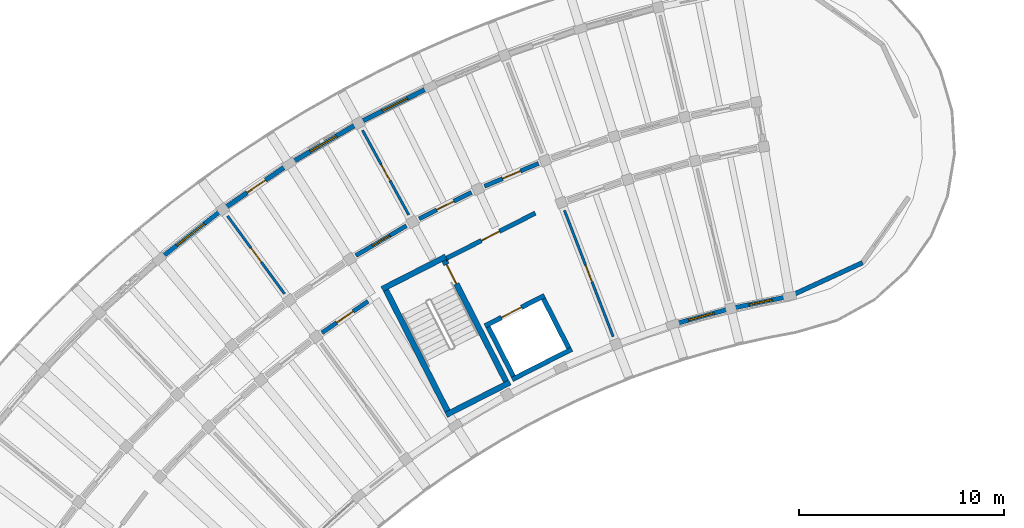
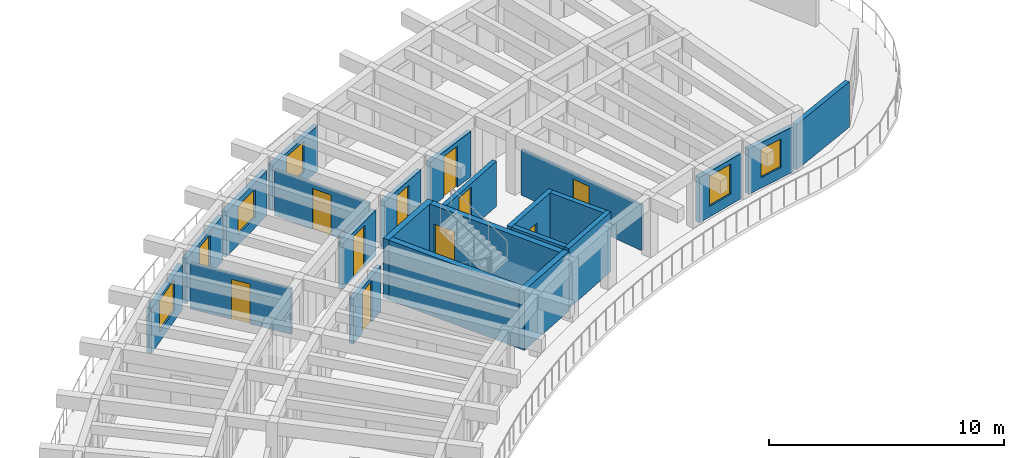
# One storey, part 21 of 41: 23 walls, 11 doors, 5 windows, 16 openings.
"""IFC4 building model written with IfcOpenShell, lengths in metres."""

from ifc_helpers import new_model, si_unit, direction, frame, frame_2d, origin, place, context, subcontext, project, spatial, rectangle, extrude, material, layer, layer_set, type_object, element, fill, save


model = new_model("IFC4")

# Units and contexts
model_context = context("Model", 3, precision=1e-05, world=origin(), true_north=direction((0.0, 1.0)))
body_context = subcontext(model_context, "Body", "Model", "MODEL_VIEW")
ifc_project = project(units=[si_unit("LENGTHUNIT", "METRE"), si_unit("AREAUNIT", "SQUARE_METRE"), si_unit("VOLUMEUNIT", "CUBIC_METRE"), si_unit("PLANEANGLEUNIT", "RADIAN"), si_unit("MASSUNIT", "GRAM", prefix="KILO")], contexts=[model_context])

# Site, building, storey
site_placement = place(None, origin())
site = spatial("IfcSite", under=ifc_project, at=site_placement, CompositionType="ELEMENT")
building_placement = place(site_placement, origin())
building = spatial("IfcBuilding", under=site, at=building_placement, Name="Tanwirah Colonnade Gardens", CompositionType="ELEMENT")
storey_placement = place(building_placement, frame((0.0, 0.0, 35.719970703125)))
storey = spatial("IfcBuildingStorey", under=building, at=storey_placement, Name="L10", CompositionType="ELEMENT", Elevation=35.719970703125)

# Wall, opening, window
ifc_material_1 = material(Name="Limestone architectural precast concrete C40/50", Category="masonry")
ifc_layer_1 = layer(ifc_material_1, 0.22509765625)
ifc_layer_set_1 = layer_set([ifc_layer_1], Name="Limestone architectural precast concrete C40/50")
wall_type_1 = type_object("IfcWallType", Name="EW-PC225", PredefinedType="SOLIDWALL", material=ifc_layer_set_1)
wall_1_placement = place(storey_placement, frame((57.28955078125, 103.970947265625, 0.0), z_axis=(0.0, 0.0, 1.0), x_axis=(-0.979344333802, -0.20219959409, 0.0)))
wall_1 = element("IfcWall", 1, at=wall_1_placement, inside=storey, type_object=wall_type_1, Name="Block A L10 IN Precast Facade Wall 1", PredefinedType="SOLIDWALL", context=body_context, shape_type="SweptSolid", body=[
    extrude(rectangle(XDim=2.545166015625, YDim=0.22509765625, at=frame_2d((1.2724609375, 0.0))), origin(), (0.0, 0.0, 1.0), 2.35498046875),
])
opening_1_placement = place(wall_1_placement, frame((0.692626953125, 0.0, 0.550048828125)))
opening_1 = element("IfcOpeningElement", 2, at=opening_1_placement, cuts=wall_1, Name="Opening WIN-U01", PredefinedType="OPENING", context=body_context, shape_type="SweptSolid", body=[
    extrude(rectangle(XDim=1.159912109375, YDim=1.485107421875, at=frame_2d((0.580078125, 0.74267578125))), frame((0.0, 0.12255859375, 0.0), z_axis=(0.0, -1.0, 0.0), x_axis=(1.0, 0.0, 0.0)), (0.0, 0.0, 1.0), 0.2451171875),
])
ifc_material_2 = material(Name="Thermally broken bronze aluminium and solar low-E double glazing", Category="aluminium")
window_type_1 = type_object("IfcWindowType", Name="WIN-U01", PartitioningType="DOUBLE_PANEL_VERTICAL", PredefinedType="WINDOW", material=ifc_material_2)
window_1_placement = place(opening_1_placement, origin())
window_1 = element("IfcWindow", 3, at=window_1_placement, inside=storey, type_object=window_type_1, Name="Facade window A-L10-IN-01", OverallHeight=1.485107421875, OverallWidth=1.159912109375, PartitioningType="SINGLE_PANEL", PredefinedType="WINDOW", context=body_context, shape_type="SweptSolid", body=[
    extrude(rectangle(XDim=1.159912109375, YDim=1.485107421875, at=frame_2d((0.580078125, 0.74267578125))), frame((0.0, 0.030029296875, 0.0), z_axis=(0.0, -1.0, 0.0), x_axis=(1.0, 0.0, 0.0)), (0.0, 0.0, 1.0), 0.06005859375),
])
fill(opening_1, window_1)

wall_2_placement = place(storey_placement, frame((54.369384765625, 103.353271484375, 0.0), z_axis=(0.0, 0.0, 1.0), x_axis=(-0.963872968618, -0.26636234788, 0.0)))
wall_2 = element("IfcWall", 4, at=wall_2_placement, inside=storey, type_object=wall_type_1, Name="Block A L10 IN Precast Facade Wall 2", PredefinedType="SOLIDWALL", context=body_context, shape_type="SweptSolid", body=[
    extrude(rectangle(XDim=2.54541015625, YDim=0.22509765625, at=frame_2d((1.272705078125, 0.0))), origin(), (0.0, 0.0, 1.0), 2.35498046875),
])
opening_2_placement = place(wall_2_placement, frame((0.632568359375, 0.0, 0.550048828125)))
opening_2 = element("IfcOpeningElement", 5, at=opening_2_placement, cuts=wall_2, Name="Opening WIN-U04", PredefinedType="OPENING", context=body_context, shape_type="SweptSolid", body=[
    extrude(rectangle(XDim=1.280029296875, YDim=1.56005859375, at=frame_2d((0.64013671875, 0.780029296875))), frame((0.0, 0.12255859375, 0.0), z_axis=(0.0, -1.0, 0.0), x_axis=(1.0, 0.0, 0.0)), (0.0, 0.0, 1.0), 0.2451171875),
])
window_type_2 = type_object("IfcWindowType", Name="WIN-U04", PartitioningType="DOUBLE_PANEL_VERTICAL", PredefinedType="WINDOW", material=ifc_material_2)
window_2_placement = place(opening_2_placement, origin())
window_2 = element("IfcWindow", 6, at=window_2_placement, inside=storey, type_object=window_type_2, Name="Facade window A-L10-IN-02", OverallHeight=1.56005859375, OverallWidth=1.280029296875, PartitioningType="SINGLE_PANEL", PredefinedType="WINDOW", context=body_context, shape_type="SweptSolid", body=[
    extrude(rectangle(XDim=1.280029296875, YDim=1.56005859375, at=frame_2d((0.64013671875, 0.780029296875))), frame((0.0, 0.030029296875, 0.0), z_axis=(0.0, -1.0, 0.0), x_axis=(1.0, 0.0, 0.0)), (0.0, 0.0, 1.0), 0.06005859375),
])
fill(opening_2, window_2)

wall_3_placement = place(storey_placement, frame((39.79052734375, 114.14501953125, 0.0), z_axis=(0.0, 0.0, 1.0), x_axis=(-0.892766264705, -0.450520140066, 0.0)))
wall_3 = element("IfcWall", 7, at=wall_3_placement, inside=storey, type_object=wall_type_1, Name="Block A L10 OUT Precast Facade Wall 5", PredefinedType="SOLIDWALL", context=body_context, shape_type="SweptSolid", body=[
    extrude(rectangle(XDim=3.540771484375, YDim=0.22509765625, at=frame_2d((1.7705078125, 0.0))), origin(), (0.0, 0.0, 1.0), 2.35498046875),
])
opening_3_placement = place(wall_3_placement, frame((1.09033203125, 0.0, 0.550048828125)))
opening_3 = element("IfcOpeningElement", 8, at=opening_3_placement, cuts=wall_3, Name="Opening WIN-U06", PredefinedType="OPENING", context=body_context, shape_type="SweptSolid", body=[
    extrude(rectangle(XDim=1.360107421875, YDim=1.610107421875, at=frame_2d((0.68017578125, 0.80517578125))), frame((0.0, 0.12255859375, 0.0), z_axis=(0.0, -1.0, 0.0), x_axis=(1.0, 0.0, 0.0)), (0.0, 0.0, 1.0), 0.2451171875),
])
window_type_3 = type_object("IfcWindowType", Name="WIN-U06", PartitioningType="DOUBLE_PANEL_VERTICAL", PredefinedType="WINDOW", material=ifc_material_2)
window_3_placement = place(opening_3_placement, origin())
window_3 = element("IfcWindow", 9, at=window_3_placement, inside=storey, type_object=window_type_3, Name="Facade window A-L10-OUT-05", OverallHeight=1.610107421875, OverallWidth=1.360107421875, PartitioningType="SINGLE_PANEL", PredefinedType="WINDOW", context=body_context, shape_type="SweptSolid", body=[
    extrude(rectangle(XDim=1.360107421875, YDim=1.610107421875, at=frame_2d((0.68017578125, 0.80517578125))), frame((0.0, 0.030029296875, 0.0), z_axis=(0.0, -1.0, 0.0), x_axis=(1.0, 0.0, 0.0)), (0.0, 0.0, 1.0), 0.06005859375),
])
fill(opening_3, window_3)

wall_4_placement = place(storey_placement, frame((36.24365234375, 112.3388671875, 0.0), z_axis=(0.0, 0.0, 1.0), x_axis=(-0.861133733249, -0.508378494294, 0.0)))
wall_4 = element("IfcWall", 10, at=wall_4_placement, inside=storey, type_object=wall_type_1, Name="Block A L10 OUT Precast Facade Wall 6", PredefinedType="SOLIDWALL", context=body_context, shape_type="SweptSolid", body=[
    extrude(rectangle(XDim=3.540771484375, YDim=0.22509765625, at=frame_2d((1.7705078125, 0.0))), origin(), (0.0, 0.0, 1.0), 2.35498046875),
])
opening_4_placement = place(wall_4_placement, frame((1.0302734375, 0.0, 0.550048828125)))
opening_4 = element("IfcOpeningElement", 11, at=opening_4_placement, cuts=wall_4, Name="Opening WIN-U09", PredefinedType="OPENING", context=body_context, shape_type="SweptSolid", body=[
    extrude(rectangle(XDim=1.47998046875, YDim=1.4599609375, at=frame_2d((0.739990234375, 0.72998046875))), frame((0.0, 0.12255859375, 0.0), z_axis=(0.0, -1.0, 0.0), x_axis=(1.0, 0.0, 0.0)), (0.0, 0.0, 1.0), 0.2451171875),
])
window_type_4 = type_object("IfcWindowType", Name="WIN-U09", PartitioningType="DOUBLE_PANEL_VERTICAL", PredefinedType="WINDOW", material=ifc_material_2)
window_4_placement = place(opening_4_placement, origin())
window_4 = element("IfcWindow", 12, at=window_4_placement, inside=storey, type_object=window_type_4, Name="Facade window A-L10-OUT-06", OverallHeight=1.4599609375, OverallWidth=1.47998046875, PartitioningType="SINGLE_PANEL", PredefinedType="WINDOW", context=body_context, shape_type="SweptSolid", body=[
    extrude(rectangle(XDim=1.47998046875, YDim=1.4599609375, at=frame_2d((0.739990234375, 0.72998046875))), frame((0.0, 0.030029296875, 0.0), z_axis=(0.0, -1.0, 0.0), x_axis=(1.0, 0.0, 0.0)), (0.0, 0.0, 1.0), 0.06005859375),
])
fill(opening_4, window_4)

# Wall, opening, door
wall_5_placement = place(storey_placement, frame((32.916259765625, 110.36181640625, 0.0), z_axis=(0.0, 0.0, 1.0), x_axis=(-0.825792366032, -0.563974262005, 0.0)))
wall_5 = element("IfcWall", 13, at=wall_5_placement, inside=storey, type_object=wall_type_1, Name="Block A L10 OUT Precast Facade Wall 7", PredefinedType="SOLIDWALL", context=body_context, shape_type="SweptSolid", body=[
    extrude(rectangle(XDim=3.54052734375, YDim=0.22509765625, at=frame_2d((1.770263671875, 0.0))), origin(), (0.0, 0.0, 1.0), 2.35498046875),
])
opening_5_placement = place(wall_5_placement, frame((1.230224609375, 0.0, 0.0)))
opening_5 = element("IfcOpeningElement", 14, at=opening_5_placement, cuts=wall_5, Name="Opening L10-ED048", PredefinedType="OPENING", context=body_context, shape_type="SweptSolid", body=[
    extrude(rectangle(XDim=1.080078125, YDim=2.14990234375, at=frame_2d((0.5400390625, 1.074951171875))), frame((0.0, 0.12255859375, 0.0), z_axis=(0.0, -1.0, 0.0), x_axis=(1.0, 0.0, 0.0)), (0.0, 0.0, 1.0), 0.2451171875),
])
ifc_material_3 = material(Name="Bronze aluminium glazed balcony door", Category="aluminium")
door_type_1 = type_object("IfcDoorType", Name="ED-BAL108", OperationType="NOTDEFINED", PredefinedType="DOOR", material=ifc_material_3)
door_1_placement = place(opening_5_placement, origin())
door_1 = element("IfcDoor", 15, at=door_1_placement, inside=storey, type_object=door_type_1, Name="Balcony glazed door L10-ED048", OperationType="SINGLE_SWING_RIGHT", OverallHeight=2.14990234375, OverallWidth=1.080078125, PredefinedType="DOOR", context=body_context, shape_type="SweptSolid", body=[
    extrude(rectangle(XDim=1.080078125, YDim=2.14990234375, at=frame_2d((0.5400390625, 1.074951171875))), frame((0.0, 0.02490234375, 0.0), z_axis=(0.0, -1.0, 0.0), x_axis=(1.0, 0.0, 0.0)), (0.0, 0.0, 1.0), 0.050048828125),
])
fill(opening_5, door_1)

# Wall, opening, window
wall_6_placement = place(storey_placement, frame((29.6376953125, 108.10498046875, 0.0), z_axis=(0.0, 0.0, 1.0), x_axis=(-0.786813367299, -0.617190995592, 0.0)))
wall_6 = element("IfcWall", 16, at=wall_6_placement, inside=storey, type_object=wall_type_1, Name="Block A L10 OUT Precast Facade Wall 8", PredefinedType="SOLIDWALL", context=body_context, shape_type="SweptSolid", body=[
    extrude(rectangle(XDim=3.540771484375, YDim=0.22509765625, at=frame_2d((1.7705078125, 0.0))), origin(), (0.0, 0.0, 1.0), 2.35498046875),
])
opening_6_placement = place(wall_6_placement, frame((0.910400390625, 0.0, 0.550048828125)))
opening_6 = element("IfcOpeningElement", 17, at=opening_6_placement, cuts=wall_6, Name="Opening WIN-U15", PredefinedType="OPENING", context=body_context, shape_type="SweptSolid", body=[
    extrude(rectangle(XDim=1.719970703125, YDim=1.610107421875, at=frame_2d((0.85986328125, 0.80517578125))), frame((0.0, 0.12255859375, 0.0), z_axis=(0.0, -1.0, 0.0), x_axis=(1.0, 0.0, 0.0)), (0.0, 0.0, 1.0), 0.2451171875),
])
window_type_5 = type_object("IfcWindowType", Name="WIN-U15", PartitioningType="DOUBLE_PANEL_VERTICAL", PredefinedType="WINDOW", material=ifc_material_2)
window_5_placement = place(opening_6_placement, origin())
window_5 = element("IfcWindow", 18, at=window_5_placement, inside=storey, type_object=window_type_5, Name="Facade window A-L10-OUT-08", OverallHeight=1.610107421875, OverallWidth=1.719970703125, PartitioningType="SINGLE_PANEL", PredefinedType="WINDOW", context=body_context, shape_type="SweptSolid", body=[
    extrude(rectangle(XDim=1.719970703125, YDim=1.610107421875, at=frame_2d((0.85986328125, 0.80517578125))), frame((0.0, 0.030029296875, 0.0), z_axis=(0.0, -1.0, 0.0), x_axis=(1.0, 0.0, 0.0)), (0.0, 0.0, 1.0), 0.06005859375),
])
fill(opening_6, window_5)

# Wall
wall_7_placement = place(storey_placement, frame((60.99951171875, 105.642333984375, 0.0), z_axis=(0.0, 0.0, 1.0), x_axis=(-0.907935614055, -0.419109676255, 0.0)))
element("IfcWall", 19, at=wall_7_placement, inside=storey, type_object=wall_type_1, Name="Block A L10 START Rounded End Wall 5", PredefinedType="SOLIDWALL", context=body_context, shape_type="SweptSolid", body=[
    extrude(rectangle(XDim=3.908203125, YDim=0.22509765625, at=frame_2d((1.9541015625, 0.0))), origin(), (0.0, 0.0, 1.0), 2.35498046875),
])

# Wall, opening, door
ifc_material_4 = material(Name="Precast concrete C40/50", Category="concrete")
ifc_layer_2 = layer(ifc_material_4, 0.205078125)
ifc_layer_set_2 = layer_set([ifc_layer_2], Name="Precast concrete C40/50")
wall_type_2 = type_object("IfcWallType", Name="IW-CORR205", PredefinedType="PARTITIONING", material=ifc_layer_set_2)
wall_8_placement = place(storey_placement, frame((45.210205078125, 110.485595703125, 0.0), z_axis=(0.0, 0.0, 1.0), x_axis=(-0.920511160294, -0.390716270168, 0.0)))
wall_8 = element("IfcWall", 20, at=wall_8_placement, inside=storey, type_object=wall_type_2, Name="Block A L10 OUT Corridor Wall 4", PredefinedType="PARTITIONING", context=body_context, shape_type="SweptSolid", body=[
    extrude(rectangle(XDim=2.863037109375, YDim=0.205078125, at=frame_2d((1.431640625, 0.0))), origin(), (0.0, 0.0, 1.0), 2.3701171875),
])
opening_7_placement = place(wall_8_placement, frame((0.95654296875, 0.0, 0.0)))
opening_7 = element("IfcOpeningElement", 21, at=opening_7_placement, cuts=wall_8, Name="Opening L10-AD644", PredefinedType="OPENING", context=body_context, shape_type="SweptSolid", body=[
    extrude(rectangle(XDim=0.949951171875, YDim=2.1298828125, at=frame_2d((0.47509765625, 1.06494140625))), frame((0.0, 0.112548828125, 0.0), z_axis=(0.0, -1.0, 0.0), x_axis=(1.0, 0.0, 0.0)), (0.0, 0.0, 1.0), 0.22509765625),
])
ifc_material_5 = material(Name="Solid oak fire-resisting apartment entrance door")
door_type_2 = type_object("IfcDoorType", Name="ID-FLT095", OperationType="NOTDEFINED", PredefinedType="DOOR", material=ifc_material_5)
door_2_placement = place(opening_7_placement, origin())
door_2 = element("IfcDoor", 22, at=door_2_placement, inside=storey, type_object=door_type_2, Name="Apartment corridor door L10-AD644", OperationType="SINGLE_SWING_LEFT", OverallHeight=2.1298828125, OverallWidth=0.949951171875, PredefinedType="DOOR", context=body_context, shape_type="SweptSolid", body=[
    extrude(rectangle(XDim=0.949951171875, YDim=2.1298828125, at=frame_2d((0.47509765625, 1.06494140625))), frame((0.0, 0.02490234375, 0.0), z_axis=(0.0, -1.0, 0.0), x_axis=(1.0, 0.0, 0.0)), (0.0, 0.0, 1.0), 0.050048828125),
])
fill(opening_7, door_2)

wall_9_placement = place(storey_placement, frame((41.93994140625, 109.072509765625, 0.0), z_axis=(0.0, 0.0, 1.0), x_axis=(-0.89273239336, -0.450587254419, 0.0)))
wall_9 = element("IfcWall", 23, at=wall_9_placement, inside=storey, type_object=wall_type_2, Name="Block A L10 OUT Corridor Wall 5", PredefinedType="PARTITIONING", context=body_context, shape_type="SweptSolid", body=[
    extrude(rectangle(XDim=2.863037109375, YDim=0.205078125, at=frame_2d((1.431640625, 0.0))), origin(), (0.0, 0.0, 1.0), 2.3701171875),
])
opening_8_placement = place(wall_9_placement, frame((0.966552734375, 0.0, 0.0)))
opening_8 = element("IfcOpeningElement", 24, at=opening_8_placement, cuts=wall_9, Name="Opening L10-AD645", PredefinedType="OPENING", context=body_context, shape_type="SweptSolid", body=[
    extrude(rectangle(XDim=0.929931640625, YDim=2.1201171875, at=frame_2d((0.46484375, 1.06005859375))), frame((0.0, 0.112548828125, 0.0), z_axis=(0.0, -1.0, 0.0), x_axis=(1.0, 0.0, 0.0)), (0.0, 0.0, 1.0), 0.22509765625),
])
door_type_3 = type_object("IfcDoorType", Name="ID-FLT093", OperationType="NOTDEFINED", PredefinedType="DOOR", material=ifc_material_5)
door_3_placement = place(opening_8_placement, origin())
door_3 = element("IfcDoor", 25, at=door_3_placement, inside=storey, type_object=door_type_3, Name="Apartment corridor door L10-AD645", OperationType="SINGLE_SWING_RIGHT", OverallHeight=2.1201171875, OverallWidth=0.929931640625, PredefinedType="DOOR", context=body_context, shape_type="SweptSolid", body=[
    extrude(rectangle(XDim=0.929931640625, YDim=2.1201171875, at=frame_2d((0.46484375, 1.06005859375))), frame((0.0, 0.02490234375, 0.0), z_axis=(0.0, -1.0, 0.0), x_axis=(1.0, 0.0, 0.0)), (0.0, 0.0, 1.0), 0.050048828125),
])
fill(opening_8, door_3)

wall_10_placement = place(storey_placement, frame((38.77001953125, 107.447021484375, 0.0), z_axis=(0.0, 0.0, 1.0), x_axis=(-0.861113214678, -0.508413248753, 0.0)))
wall_10 = element("IfcWall", 26, at=wall_10_placement, inside=storey, type_object=wall_type_2, Name="Block A L10 OUT Corridor Wall 6", PredefinedType="PARTITIONING", context=body_context, shape_type="SweptSolid", body=[
    extrude(rectangle(XDim=2.863037109375, YDim=0.205078125, at=frame_2d((1.431640625, 0.0))), origin(), (0.0, 0.0, 1.0), 2.3701171875),
])
opening_9_placement = place(wall_10_placement, frame((0.9365234375, 0.0, 0.0)))
opening_9 = element("IfcOpeningElement", 27, at=opening_9_placement, cuts=wall_10, Name="Opening L10-AD647", PredefinedType="OPENING", context=body_context, shape_type="SweptSolid", body=[
    extrude(rectangle(XDim=0.989990234375, YDim=2.159912109375, at=frame_2d((0.4951171875, 1.080078125))), frame((0.0, 0.112548828125, 0.0), z_axis=(0.0, -1.0, 0.0), x_axis=(1.0, 0.0, 0.0)), (0.0, 0.0, 1.0), 0.22509765625),
])
door_type_4 = type_object("IfcDoorType", Name="ID-FLT099", OperationType="NOTDEFINED", PredefinedType="DOOR", material=ifc_material_5)
door_4_placement = place(opening_9_placement, origin())
door_4 = element("IfcDoor", 28, at=door_4_placement, inside=storey, type_object=door_type_4, Name="Apartment corridor door L10-AD647", OperationType="SINGLE_SWING_LEFT", OverallHeight=2.159912109375, OverallWidth=0.989990234375, PredefinedType="DOOR", context=body_context, shape_type="SweptSolid", body=[
    extrude(rectangle(XDim=0.989990234375, YDim=2.159912109375, at=frame_2d((0.4951171875, 1.080078125))), frame((0.0, 0.02490234375, 0.0), z_axis=(0.0, -1.0, 0.0), x_axis=(1.0, 0.0, 0.0)), (0.0, 0.0, 1.0), 0.050048828125),
])
fill(opening_9, door_4)

wall_11_placement = place(storey_placement, frame((36.89453125, 103.759521484375, 0.0), z_axis=(0.0, 0.0, 1.0), x_axis=(-0.825752009056, -0.56403334967, 0.0)))
wall_11 = element("IfcWall", 29, at=wall_11_placement, inside=storey, type_object=wall_type_2, Name="Block A L10 IN Corridor Wall 7", PredefinedType="PARTITIONING", context=body_context, shape_type="SweptSolid", body=[
    extrude(rectangle(XDim=2.71826171875, YDim=0.205078125, at=frame_2d((1.359130859375, 0.0))), origin(), (0.0, 0.0, 1.0), 2.3701171875),
])
opening_10_placement = place(wall_11_placement, frame((0.8740234375, 0.0, 0.0)))
opening_10 = element("IfcOpeningElement", 30, at=opening_10_placement, cuts=wall_11, Name="Opening L10-AD649", PredefinedType="OPENING", context=body_context, shape_type="SweptSolid", body=[
    extrude(rectangle(XDim=0.969970703125, YDim=2.14990234375, at=frame_2d((0.48486328125, 1.074951171875))), frame((0.0, 0.112548828125, 0.0), z_axis=(0.0, -1.0, 0.0), x_axis=(1.0, 0.0, 0.0)), (0.0, 0.0, 1.0), 0.22509765625),
])
door_type_5 = type_object("IfcDoorType", Name="ID-FLT097", OperationType="NOTDEFINED", PredefinedType="DOOR", material=ifc_material_5)
door_5_placement = place(opening_10_placement, origin())
door_5 = element("IfcDoor", 31, at=door_5_placement, inside=storey, type_object=door_type_5, Name="Apartment corridor door L10-AD649", OperationType="SINGLE_SWING_LEFT", OverallHeight=2.14990234375, OverallWidth=0.969970703125, PredefinedType="DOOR", context=body_context, shape_type="SweptSolid", body=[
    extrude(rectangle(XDim=0.969970703125, YDim=2.14990234375, at=frame_2d((0.48486328125, 1.074951171875))), frame((0.0, 0.02490234375, 0.0), z_axis=(0.0, -1.0, 0.0), x_axis=(1.0, 0.0, 0.0)), (0.0, 0.0, 1.0), 0.050048828125),
])
fill(opening_10, door_5)

ifc_material_6 = material(Name="Autoclaved aerated masonry blockwork", Category="masonry")
ifc_layer_3 = layer(ifc_material_6, 0.219970703125)
ifc_layer_set_3 = layer_set([ifc_layer_3], Name="Autoclaved aerated masonry blockwork")
wall_type_3 = type_object("IfcWallType", Name="IW-FFL220", PredefinedType="PARTITIONING", material=ifc_layer_set_3)
wall_12_placement = place(storey_placement, frame((40.68212890625, 105.833740234375, 0.0), z_axis=(0.0, 0.0, 1.0), x_axis=(0.891003372311, 0.453996685595, 0.0)))
wall_12 = element("IfcWall", 32, at=wall_12_placement, inside=storey, type_object=wall_type_3, Name="CORE-A1 L10 Enclosed Lobby Fire Wall", PredefinedType="PARTITIONING", context=body_context, shape_type="SweptSolid", body=[
    extrude(rectangle(XDim=4.900146484375, YDim=0.219970703125, at=frame_2d((2.4501953125, 0.0))), origin(), (0.0, 0.0, 1.0), 2.340087890625),
])
opening_11_placement = place(wall_12_placement, frame((1.949951171875, 0.0, 0.0)))
opening_11 = element("IfcOpeningElement", 33, at=opening_11_placement, cuts=wall_12, Name="Opening L10-LD028", PredefinedType="OPENING", context=body_context, shape_type="SweptSolid", body=[
    extrude(rectangle(XDim=1.0, YDim=2.14990234375, at=frame_2d((0.5, 1.074951171875))), frame((0.0, 0.119873046875, 0.0), z_axis=(0.0, -1.0, 0.0), x_axis=(1.0, 0.0, 0.0)), (0.0, 0.0, 1.0), 0.239990234375),
])
ifc_material_7 = material(Name="Acoustic fire-resisting lobby door")
door_type_6 = type_object("IfcDoorType", Name="ID-FFL100", OperationType="NOTDEFINED", PredefinedType="DOOR", material=ifc_material_7)
door_6_placement = place(opening_11_placement, origin())
door_6 = element("IfcDoor", 34, at=door_6_placement, inside=storey, type_object=door_type_6, Name="CORE-A1 L10 Lobby Fire Door L10-LD028", OperationType="SINGLE_SWING_LEFT", OverallHeight=2.14990234375, OverallWidth=1.0, PredefinedType="DOOR", context=body_context, shape_type="SweptSolid", body=[
    extrude(rectangle(XDim=1.0, YDim=2.14990234375, at=frame_2d((0.5, 1.074951171875))), frame((0.0, 0.02490234375, 0.0), z_axis=(0.0, -1.0, 0.0), x_axis=(1.0, 0.0, 0.0)), (0.0, 0.0, 1.0), 0.050048828125),
])
fill(opening_11, door_6)

ifc_material_8 = material(Name="Moisture-resistant gypsum stud partition")
ifc_layer_4 = layer(ifc_material_8, 0.125)
ifc_layer_set_4 = layer_set([ifc_layer_4], Name="Moisture-resistant gypsum stud partition")
wall_type_4 = type_object("IfcWallType", Name="IW-INT125", PredefinedType="PARTITIONING", material=ifc_layer_set_4)
wall_13_placement = place(storey_placement, frame((48.845947265625, 102.039794921875, 0.0), z_axis=(0.0, 0.0, 1.0), x_axis=(-0.360183473608, 0.932881485152, 0.0)))
wall_13 = element("IfcWall", 35, at=wall_13_placement, inside=storey, type_object=wall_type_4, Name="Block A L10 Inner Radial Partition 3", PredefinedType="PARTITIONING", context=body_context, shape_type="SweptSolid", body=[
    extrude(rectangle(XDim=6.599853515625, YDim=0.125, at=frame_2d((3.2998046875, 0.0))), origin(), (0.0, 0.0, 1.0), 2.3701171875),
])
opening_12_placement = place(wall_13_placement, frame((2.864990234375, 0.0, 0.0)))
opening_12 = element("IfcOpeningElement", 36, at=opening_12_placement, cuts=wall_13, Name="Opening L10-RD643", PredefinedType="OPENING", context=body_context, shape_type="SweptSolid", body=[
    extrude(rectangle(XDim=0.8701171875, YDim=2.080078125, at=frame_2d((0.43505859375, 1.0400390625))), frame((0.0, 0.072509765625, 0.0), z_axis=(0.0, -1.0, 0.0), x_axis=(1.0, 0.0, 0.0)), (0.0, 0.0, 1.0), 0.14501953125),
])
ifc_material_9 = material(Name="Painted hardwood study door", Category="wood")
door_type_7 = type_object("IfcDoorType", Name="ID-RM087", OperationType="NOTDEFINED", PredefinedType="DOOR", material=ifc_material_9)
door_7_placement = place(opening_12_placement, origin())
door_7 = element("IfcDoor", 37, at=door_7_placement, inside=storey, type_object=door_type_7, Name="Internal apartment door L10-RD643", OperationType="SINGLE_SWING_LEFT", OverallHeight=2.080078125, OverallWidth=0.8701171875, PredefinedType="DOOR", context=body_context, shape_type="SweptSolid", body=[
    extrude(rectangle(XDim=0.8701171875, YDim=2.080078125, at=frame_2d((0.43505859375, 1.0400390625))), frame((0.0, 0.02490234375, 0.0), z_axis=(0.0, -1.0, 0.0), x_axis=(1.0, 0.0, 0.0)), (0.0, 0.0, 1.0), 0.050048828125),
])
fill(opening_12, door_7)

wall_14_placement = place(storey_placement, frame((38.879638671875, 107.975830078125, 0.0), z_axis=(0.0, 0.0, 1.0), x_axis=(-0.479721743761, 0.877420679357, 0.0)))
wall_14 = element("IfcWall", 38, at=wall_14_placement, inside=storey, type_object=wall_type_4, Name="Block A L10 Radial Partition 5", PredefinedType="PARTITIONING", context=body_context, shape_type="SweptSolid", body=[
    extrude(rectangle(XDim=4.699951171875, YDim=0.125, at=frame_2d((2.35009765625, 0.0))), origin(), (0.0, 0.0, 1.0), 2.3701171875),
])
opening_13_placement = place(wall_14_placement, frame((1.89501953125, 0.0, 0.0)))
opening_13 = element("IfcOpeningElement", 39, at=opening_13_placement, cuts=wall_14, Name="Opening L10-RD646", PredefinedType="OPENING", context=body_context, shape_type="SweptSolid", body=[
    extrude(rectangle(XDim=0.909912109375, YDim=2.10009765625, at=frame_2d((0.455078125, 1.050048828125))), frame((0.0, 0.072509765625, 0.0), z_axis=(0.0, -1.0, 0.0), x_axis=(1.0, 0.0, 0.0)), (0.0, 0.0, 1.0), 0.14501953125),
])
ifc_material_10 = material(Name="Painted hardwood internal room door", Category="wood")
door_type_8 = type_object("IfcDoorType", Name="ID-RM091", OperationType="NOTDEFINED", PredefinedType="DOOR", material=ifc_material_10)
door_8_placement = place(opening_13_placement, origin())
door_8 = element("IfcDoor", 40, at=door_8_placement, inside=storey, type_object=door_type_8, Name="Internal apartment door L10-RD646", OperationType="SINGLE_SWING_RIGHT", OverallHeight=2.10009765625, OverallWidth=0.909912109375, PredefinedType="DOOR", context=body_context, shape_type="SweptSolid", body=[
    extrude(rectangle(XDim=0.909912109375, YDim=2.10009765625, at=frame_2d((0.455078125, 1.050048828125))), frame((0.0, 0.02490234375, 0.0), z_axis=(0.0, -1.0, 0.0), x_axis=(1.0, 0.0, 0.0)), (0.0, 0.0, 1.0), 0.050048828125),
])
fill(opening_13, door_8)

wall_15_placement = place(storey_placement, frame((32.824462890625, 104.12646484375, 0.0), z_axis=(0.0, 0.0, 1.0), x_axis=(-0.590910940129, 0.806736797745, 0.0)))
wall_15 = element("IfcWall", 41, at=wall_15_placement, inside=storey, type_object=wall_type_4, Name="Block A L10 Radial Partition 7", PredefinedType="PARTITIONING", context=body_context, shape_type="SweptSolid", body=[
    extrude(rectangle(XDim=4.7001953125, YDim=0.125, at=frame_2d((2.35009765625, 0.0))), origin(), (0.0, 0.0, 1.0), 2.3701171875),
])
opening_14_placement = place(wall_15_placement, frame((1.9150390625, 0.0, 0.0)))
opening_14 = element("IfcOpeningElement", 42, at=opening_14_placement, cuts=wall_15, Name="Opening L10-RD650", PredefinedType="OPENING", context=body_context, shape_type="SweptSolid", body=[
    extrude(rectangle(XDim=0.8701171875, YDim=2.080078125, at=frame_2d((0.43505859375, 1.0400390625))), frame((0.0, 0.072509765625, 0.0), z_axis=(0.0, -1.0, 0.0), x_axis=(1.0, 0.0, 0.0)), (0.0, 0.0, 1.0), 0.14501953125),
])
door_9_placement = place(opening_14_placement, origin())
door_9 = element("IfcDoor", 43, at=door_9_placement, inside=storey, type_object=door_type_7, Name="Internal apartment door L10-RD650", OperationType="SINGLE_SWING_RIGHT", OverallHeight=2.080078125, OverallWidth=0.8701171875, PredefinedType="DOOR", context=body_context, shape_type="SweptSolid", body=[
    extrude(rectangle(XDim=0.8701171875, YDim=2.080078125, at=frame_2d((0.43505859375, 1.0400390625))), frame((0.0, 0.02490234375, 0.0), z_axis=(0.0, -1.0, 0.0), x_axis=(1.0, 0.0, 0.0)), (0.0, 0.0, 1.0), 0.050048828125),
])
fill(opening_14, door_9)

# Walls
ifc_material_11 = material(Name="Concrete C45/55", Category="concrete")
ifc_layer_5 = layer(ifc_material_11, 0.280029296875)
ifc_layer_set_5 = layer_set([ifc_layer_5], Name="Concrete C45/55")
wall_type_5 = type_object("IfcWallType", Name="SW-CORE280", PredefinedType="SHEAR", material=ifc_layer_set_5)
wall_16_placement = place(storey_placement, frame((37.7734375, 104.295654296875, 0.0), z_axis=(0.0, 0.0, 1.0), x_axis=(0.453992276384, -0.891005618941, 0.0)))
element("IfcWall", 44, at=wall_16_placement, inside=storey, type_object=wall_type_5, Name="CORE-A1 L10 Stair Shaft Shear Wall LEFT", PredefinedType="SHEAR", context=body_context, shape_type="SweptSolid", body=[
    extrude(rectangle(XDim=6.599853515625, YDim=0.280029296875, at=frame_2d((3.2998046875, 0.0))), origin(), (0.0, 0.0, 1.0), 3.110107421875),
])
for number, where, z_axis, x_axis, name in (
    (45, (40.708740234375, 98.2265625, 0.0), (0.0, 0.0, 1.0), (0.891005763861, 0.453991991964, 0.0), "CORE-A1 L10 Stair Shaft Shear Wall FAR"),
    (46, (37.585205078125, 104.356689453125, 0.0), (0.0, 0.0, 1.0), (0.891020222667, 0.453963613958, 0.0), "CORE-A1 L10 Stair Shaft Shear Wall NEAR"),
):
    element("IfcWall", number, at=place(storey_placement, frame(where, z_axis=z_axis, x_axis=x_axis)), inside=storey, type_object=wall_type_5, Name=name, PredefinedType="SHEAR", context=body_context, shape_type="SweptSolid", body=[
        extrude(rectangle(XDim=3.47998046875, YDim=0.280029296875, at=frame_2d((1.739990234375, 0.0))), origin(), (0.0, 0.0, 1.0), 3.110107421875),
    ])

# Wall, opening, door
wall_17_placement = place(storey_placement, frame((40.624755859375, 105.748291015625, 0.0), z_axis=(0.0, 0.0, 1.0), x_axis=(0.453992276384, -0.891005618941, 0.0)))
wall_17 = element("IfcWall", 47, at=wall_17_placement, inside=storey, type_object=wall_type_5, Name="CORE-A1 L10 Stair Shaft Shear Wall RIGHT", PredefinedType="SHEAR", context=body_context, shape_type="SweptSolid", body=[
    extrude(rectangle(XDim=6.599853515625, YDim=0.280029296875, at=frame_2d((3.2998046875, 0.0))), origin(), (0.0, 0.0, 1.0), 3.110107421875),
])
opening_15_placement = place(wall_17_placement, frame((0.219970703125, 0.0, 0.0)))
opening_15 = element("IfcOpeningElement", 48, at=opening_15_placement, cuts=wall_17, Name="Opening L10-SD012", PredefinedType="OPENING", context=body_context, shape_type="SweptSolid", body=[
    extrude(rectangle(XDim=1.050048828125, YDim=2.14990234375, at=frame_2d((0.52490234375, 1.074951171875))), frame((0.0, 0.14990234375, 0.0), z_axis=(0.0, -1.0, 0.0), x_axis=(1.0, 0.0, 0.0)), (0.0, 0.0, 1.0), 0.300048828125),
])
ifc_material_12 = material(Name="Steel fire-resisting stair enclosure door", Category="steel")
door_type_9 = type_object("IfcDoorType", Name="ID-ST105", OperationType="NOTDEFINED", PredefinedType="DOOR", material=ifc_material_12)
door_10_placement = place(opening_15_placement, origin())
door_10 = element("IfcDoor", 49, at=door_10_placement, inside=storey, type_object=door_type_9, Name="CORE-A1 L10 Stair Fire Door L10-SD012", OperationType="SINGLE_SWING_LEFT", OverallHeight=2.14990234375, OverallWidth=1.050048828125, PredefinedType="DOOR", context=body_context, shape_type="SweptSolid", body=[
    extrude(rectangle(XDim=1.050048828125, YDim=2.14990234375, at=frame_2d((0.52490234375, 1.074951171875))), frame((0.0, 0.02490234375, 0.0), z_axis=(0.0, -1.0, 0.0), x_axis=(1.0, 0.0, 0.0)), (0.0, 0.0, 1.0), 0.050048828125),
])
fill(opening_15, door_10)

ifc_layer_6 = layer(ifc_material_11, 0.22998046875)
ifc_layer_set_6 = layer_set([ifc_layer_6], Name="Concrete C45/55")
wall_type_6 = type_object("IfcWallType", Name="SW-LIFT230", PredefinedType="SHEAR", material=ifc_layer_set_6)
wall_18_placement = place(storey_placement, frame((42.5966796875, 102.561279296875, 0.0), z_axis=(0.0, 0.0, 1.0), x_axis=(0.891001200497, 0.454000947921, 0.0)))
wall_18 = element("IfcWall", 50, at=wall_18_placement, inside=storey, type_object=wall_type_6, Name="CORE-A1 L10 Lift Shaft Wall FRONT", PredefinedType="SHEAR", context=body_context, shape_type="SweptSolid", body=[
    extrude(rectangle(XDim=3.259765625, YDim=0.22998046875, at=frame_2d((1.6298828125, 0.0))), origin(), (0.0, 0.0, 1.0), 3.110107421875),
])
opening_16_placement = place(wall_18_placement, frame((0.89990234375, 0.0, 0.0)))
opening_16 = element("IfcOpeningElement", 51, at=opening_16_placement, cuts=wall_18, Name="Opening L10-LD-FL-A1", PredefinedType="OPENING", context=body_context, shape_type="SweptSolid", body=[
    extrude(rectangle(XDim=1.10009765625, YDim=2.14990234375, at=frame_2d((0.550048828125, 1.074951171875))), frame((0.0, 0.125, 0.0), z_axis=(0.0, -1.0, 0.0), x_axis=(1.0, 0.0, 0.0)), (0.0, 0.0, 1.0), 0.25),
])
ifc_material_13 = material(Name="Stainless steel sliding fire lift landing door", Category="steel")
door_type_10 = type_object("IfcDoorType", Name="LD-FF11", OperationType="DOUBLE_DOOR_SLIDING", PredefinedType="DOOR", material=ifc_material_13)
door_11_placement = place(opening_16_placement, origin())
door_11 = element("IfcDoor", 52, at=door_11_placement, inside=storey, type_object=door_type_10, Name="Lift FL-A1 L10 Sliding Landing Door", OperationType="DOUBLE_DOOR_SLIDING", OverallHeight=2.14990234375, OverallWidth=1.10009765625, PredefinedType="DOOR", context=body_context, shape_type="SweptSolid", body=[
    extrude(rectangle(XDim=1.10009765625, YDim=2.14990234375, at=frame_2d((0.550048828125, 1.074951171875))), frame((0.0, 0.02490234375, 0.0), z_axis=(0.0, -1.0, 0.0), x_axis=(1.0, 0.0, 0.0)), (0.0, 0.0, 1.0), 0.050048828125),
])
fill(opening_16, door_11)

# Walls
wall_19_placement = place(storey_placement, frame((43.9267578125, 99.950439453125, 0.0), z_axis=(0.0, 0.0, 1.0), x_axis=(0.891016635648, 0.453970654337, 0.0)))
element("IfcWall", 53, at=wall_19_placement, inside=storey, type_object=wall_type_6, Name="CORE-A1 L10 Lift Shaft Wall BACK", PredefinedType="SHEAR", context=body_context, shape_type="SweptSolid", body=[
    extrude(rectangle(XDim=3.260009765625, YDim=0.22998046875, at=frame_2d((1.6298828125, 0.0))), origin(), (0.0, 0.0, 1.0), 3.110107421875),
])
for number, where, z_axis, x_axis, name in (
    (54, (42.751220703125, 102.510986328125, 0.0), (0.0, 0.0, 1.0), (0.454000278178, -0.891001541758, 0.0), "CORE-A1 L10 Lift Shaft Wall SIDEA"),
    (55, (45.450927734375, 103.886474609375, 0.0), (0.0, 0.0, 1.0), (0.454000278178, -0.891001541758, 0.0), "CORE-A1 L10 Lift Shaft Wall SIDEB"),
):
    element("IfcWall", number, at=place(storey_placement, frame(where, z_axis=z_axis, x_axis=x_axis)), inside=storey, type_object=wall_type_6, Name=name, PredefinedType="SHEAR", context=body_context, shape_type="SweptSolid", body=[
        extrude(rectangle(XDim=2.699951171875, YDim=0.22998046875, at=frame_2d((1.35009765625, 0.0))), origin(), (0.0, 0.0, 1.0), 3.110107421875),
    ])

save(model, "model.ifc")
